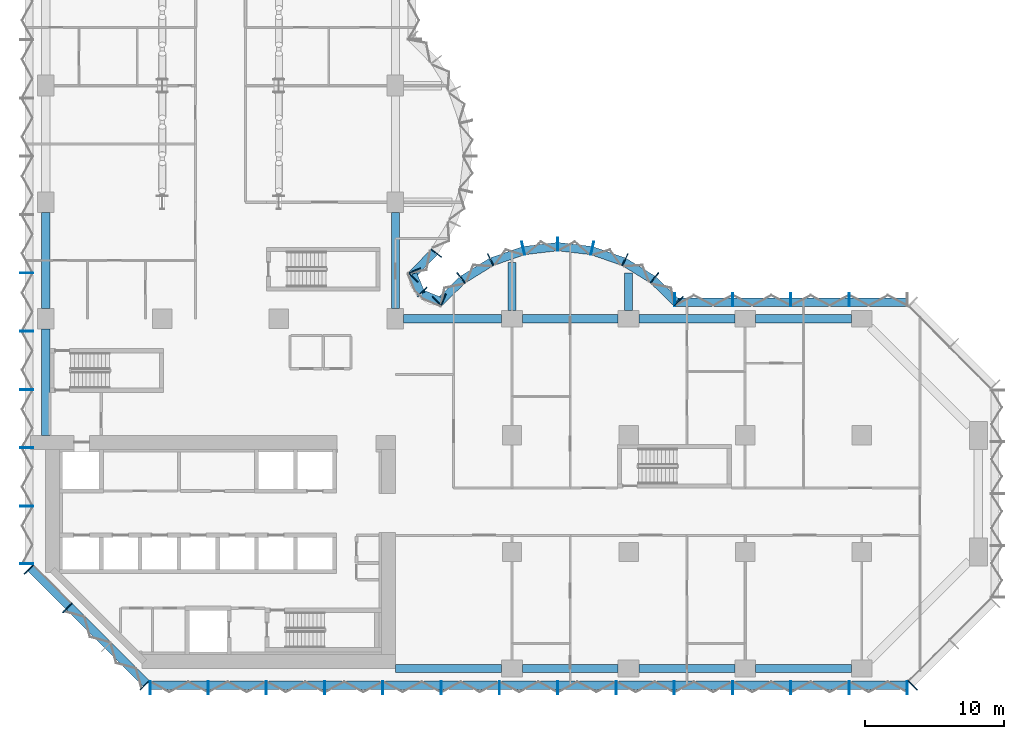
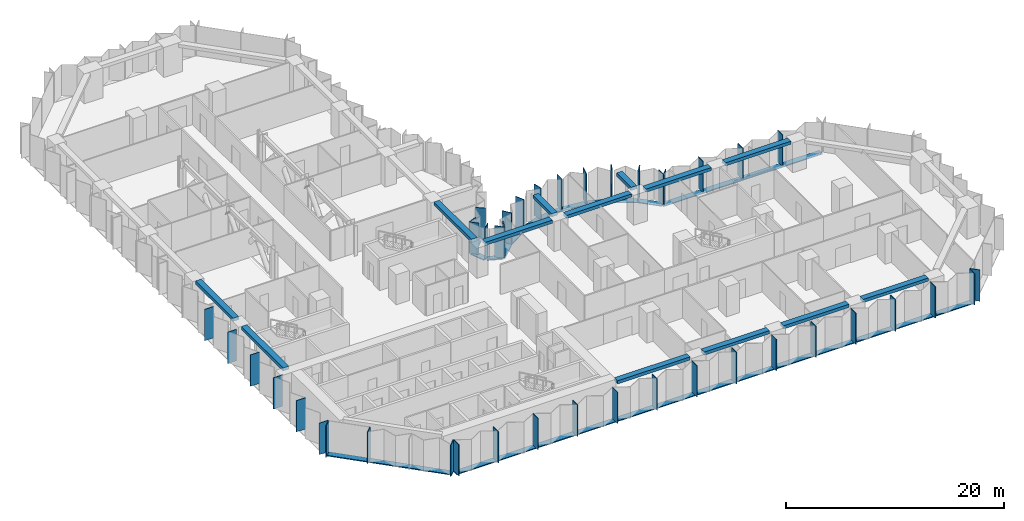
# One storey, part 3 of 18: 56 members, 13 beams, 8 elements without a shape of their own.
"""IFC4 building model written with IfcOpenShell, lengths in metres."""

from ifc_helpers import new_model, si_unit, direction, frame, origin, origin_2d, place, context, subcontext, project, spatial, rectangle, extrude, material, material_profile, profile_set, type_object, element, aggregate, save


model = new_model("IFC4")

# Units and contexts
model_context = context("Model", 3, precision=1e-05, world=origin(), true_north=direction((0.0, 1.0)))
body_context = subcontext(model_context, "Body", "Model", "MODEL_VIEW")
ifc_project = project(units=[si_unit("LENGTHUNIT", "METRE"), si_unit("AREAUNIT", "SQUARE_METRE"), si_unit("VOLUMEUNIT", "CUBIC_METRE"), si_unit("PLANEANGLEUNIT", "RADIAN"), si_unit("MASSUNIT", "GRAM", prefix="KILO")], contexts=[model_context])

# Site, building, storey
site_placement = place(None, origin())
site = spatial("IfcSite", under=ifc_project, at=site_placement, CompositionType="ELEMENT")
building_placement = place(site_placement, origin())
building = spatial("IfcBuilding", under=site, at=building_placement, Name="Brevane Broadcast Tower", CompositionType="ELEMENT")
storey_placement = place(building_placement, frame((0.0, 0.0, 40.10009765625)))
storey = spatial("IfcBuildingStorey", under=building, at=storey_placement, Name="L07", CompositionType="ELEMENT", Elevation=40.10009765625)

# Curtain wall, members
ifc_material_1 = material(Name="Aluminium 6063-T6 bronze anodised", Category="aluminium")
curtain_wall_type = type_object("IfcCurtainWallType", Name="CW-1 curtain wall", PredefinedType="NOTDEFINED", material=ifc_material_1)
curtain_wall_1_placement = place(storey_placement, origin())
curtain_wall_1 = element("IfcCurtainWall", 1, at=curtain_wall_1_placement, inside=storey, type_object=curtain_wall_type, Name="CW-1 typical tilted unit L07 south face", PredefinedType="NOTDEFINED")
ifc_material_profile_1 = material_profile(ifc_material_1, rectangle(XDim=0.949951171875, YDim=0.070068359375, at=origin_2d()), Name="RECT 70x950")
ifc_profile_set_1 = profile_set([ifc_material_profile_1], Name="Aluminium 6063-T6 bronze anodised")
member_type_1 = type_object("IfcMemberType", Name="CW-1 mullion 70x950", PredefinedType="MULLION", material=ifc_profile_set_1)
member_1_placement = place(storey_placement, frame((7.534912109375, -1.375, -0.150146484375), z_axis=(0.0, 0.0, 1.0), x_axis=(0.0, 1.0, 0.0)))
member_1 = element("IfcMember", 2, at=member_1_placement, type_object=member_type_1, Name="CW-1 mullion", PredefinedType="MULLION", context=body_context, shape_type="SweptSolid", body=[
    extrude(rectangle(XDim=0.949951171875, YDim=0.070068359375, at=origin_2d()), origin(), (0.0, 0.0, 1.0), 3.5),
])
member_2_placement = place(storey_placement, frame((11.699951171875, -1.375, -0.150146484375), z_axis=(0.0, 0.0, 1.0), x_axis=(0.0, 1.0, 0.0)))
member_2 = element("IfcMember", 3, at=member_2_placement, type_object=member_type_1, Name="CW-1 mullion", PredefinedType="MULLION", context=body_context, shape_type="SweptSolid", body=[
    extrude(rectangle(XDim=0.949951171875, YDim=0.070068359375, at=origin_2d()), origin(), (0.0, 0.0, 1.0), 3.5),
])
member_3_placement = place(storey_placement, frame((15.89990234375, -1.375, -0.150146484375), z_axis=(0.0, 0.0, 1.0), x_axis=(0.0, 1.0, 0.0)))
member_3 = element("IfcMember", 4, at=member_3_placement, type_object=member_type_1, Name="CW-1 mullion", PredefinedType="MULLION", context=body_context, shape_type="SweptSolid", body=[
    extrude(rectangle(XDim=0.949951171875, YDim=0.070068359375, at=origin_2d()), origin(), (0.0, 0.0, 1.0), 3.5),
])
member_4_placement = place(storey_placement, frame((20.10009765625, -1.375, -0.150146484375), z_axis=(0.0, 0.0, 1.0), x_axis=(0.0, 1.0, 0.0)))
member_4 = element("IfcMember", 5, at=member_4_placement, type_object=member_type_1, Name="CW-1 mullion", PredefinedType="MULLION", context=body_context, shape_type="SweptSolid", body=[
    extrude(rectangle(XDim=0.949951171875, YDim=0.070068359375, at=origin_2d()), origin(), (0.0, 0.0, 1.0), 3.5),
])
member_5_placement = place(storey_placement, frame((24.300048828125, -1.375, -0.150146484375), z_axis=(0.0, 0.0, 1.0), x_axis=(0.0, 1.0, 0.0)))
member_5 = element("IfcMember", 6, at=member_5_placement, type_object=member_type_1, Name="CW-1 mullion", PredefinedType="MULLION", context=body_context, shape_type="SweptSolid", body=[
    extrude(rectangle(XDim=0.949951171875, YDim=0.070068359375, at=origin_2d()), origin(), (0.0, 0.0, 1.0), 3.5),
])
member_6_placement = place(storey_placement, frame((28.5, -1.375, -0.150146484375), z_axis=(0.0, 0.0, 1.0), x_axis=(0.0, 1.0, 0.0)))
member_6 = element("IfcMember", 7, at=member_6_placement, type_object=member_type_1, Name="CW-1 mullion", PredefinedType="MULLION", context=body_context, shape_type="SweptSolid", body=[
    extrude(rectangle(XDim=0.949951171875, YDim=0.070068359375, at=origin_2d()), origin(), (0.0, 0.0, 1.0), 3.5),
])
member_7_placement = place(storey_placement, frame((32.699951171875, -1.375, -0.150146484375), z_axis=(0.0, 0.0, 1.0), x_axis=(0.0, 1.0, 0.0)))
member_7 = element("IfcMember", 8, at=member_7_placement, type_object=member_type_1, Name="CW-1 mullion", PredefinedType="MULLION", context=body_context, shape_type="SweptSolid", body=[
    extrude(rectangle(XDim=0.949951171875, YDim=0.070068359375, at=origin_2d()), origin(), (0.0, 0.0, 1.0), 3.5),
])
member_8_placement = place(storey_placement, frame((36.89990234375, -1.375, -0.150146484375), z_axis=(0.0, 0.0, 1.0), x_axis=(0.0, 1.0, 0.0)))
member_8 = element("IfcMember", 9, at=member_8_placement, type_object=member_type_1, Name="CW-1 mullion", PredefinedType="MULLION", context=body_context, shape_type="SweptSolid", body=[
    extrude(rectangle(XDim=0.949951171875, YDim=0.070068359375, at=origin_2d()), origin(), (0.0, 0.0, 1.0), 3.5),
])
member_9_placement = place(storey_placement, frame((41.10009765625, -1.375, -0.150146484375), z_axis=(0.0, 0.0, 1.0), x_axis=(0.0, 1.0, 0.0)))
member_9 = element("IfcMember", 10, at=member_9_placement, type_object=member_type_1, Name="CW-1 mullion", PredefinedType="MULLION", context=body_context, shape_type="SweptSolid", body=[
    extrude(rectangle(XDim=0.949951171875, YDim=0.070068359375, at=origin_2d()), origin(), (0.0, 0.0, 1.0), 3.5),
])
member_10_placement = place(storey_placement, frame((45.300048828125, -1.375, -0.150146484375), z_axis=(0.0, 0.0, 1.0), x_axis=(0.0, 1.0, 0.0)))
member_10 = element("IfcMember", 11, at=member_10_placement, type_object=member_type_1, Name="CW-1 mullion", PredefinedType="MULLION", context=body_context, shape_type="SweptSolid", body=[
    extrude(rectangle(XDim=0.949951171875, YDim=0.070068359375, at=origin_2d()), origin(), (0.0, 0.0, 1.0), 3.5),
])
member_11_placement = place(storey_placement, frame((49.5, -1.375, -0.150146484375), z_axis=(0.0, 0.0, 1.0), x_axis=(0.0, 1.0, 0.0)))
member_11 = element("IfcMember", 12, at=member_11_placement, type_object=member_type_1, Name="CW-1 mullion", PredefinedType="MULLION", context=body_context, shape_type="SweptSolid", body=[
    extrude(rectangle(XDim=0.949951171875, YDim=0.070068359375, at=origin_2d()), origin(), (0.0, 0.0, 1.0), 3.5),
])
member_12_placement = place(storey_placement, frame((53.699951171875, -1.375, -0.150146484375), z_axis=(0.0, 0.0, 1.0), x_axis=(0.0, 1.0, 0.0)))
member_12 = element("IfcMember", 13, at=member_12_placement, type_object=member_type_1, Name="CW-1 mullion", PredefinedType="MULLION", context=body_context, shape_type="SweptSolid", body=[
    extrude(rectangle(XDim=0.949951171875, YDim=0.070068359375, at=origin_2d()), origin(), (0.0, 0.0, 1.0), 3.5),
])
member_13_placement = place(storey_placement, frame((57.89990234375, -1.375, -0.150146484375), z_axis=(0.0, 0.0, 1.0), x_axis=(0.0, 1.0, 0.0)))
member_13 = element("IfcMember", 14, at=member_13_placement, type_object=member_type_1, Name="CW-1 mullion", PredefinedType="MULLION", context=body_context, shape_type="SweptSolid", body=[
    extrude(rectangle(XDim=0.949951171875, YDim=0.070068359375, at=origin_2d()), origin(), (0.0, 0.0, 1.0), 3.5),
])
member_14_placement = place(storey_placement, frame((62.06494140625, -1.375, -0.150146484375), z_axis=(0.0, 0.0, 1.0), x_axis=(0.0, 1.0, 0.0)))
member_14 = element("IfcMember", 15, at=member_14_placement, type_object=member_type_1, Name="CW-1 mullion", PredefinedType="MULLION", context=body_context, shape_type="SweptSolid", body=[
    extrude(rectangle(XDim=0.949951171875, YDim=0.070068359375, at=origin_2d()), origin(), (0.0, 0.0, 1.0), 3.5),
])

# Curtain wall, member
curtain_wall_2_placement = place(storey_placement, origin())
curtain_wall_2 = element("IfcCurtainWall", 16, at=curtain_wall_2_placement, inside=storey, type_object=curtain_wall_type, Name="CW-1 typical tilted unit L07 south-east chamfer", PredefinedType="NOTDEFINED")
member_15_placement = place(storey_placement, frame((62.460693359375, -1.211181640625, -0.150146484375), z_axis=(0.0, 0.0, 1.0), x_axis=(-0.707106781187, 0.707106781187, 0.0)))
member_15 = element("IfcMember", 17, at=member_15_placement, type_object=member_type_1, Name="CW-1 mullion", PredefinedType="MULLION", context=body_context, shape_type="SweptSolid", body=[
    extrude(rectangle(XDim=0.949951171875, YDim=0.070068359375, at=origin_2d()), origin(), (0.0, 0.0, 1.0), 3.5),
])
aggregate(curtain_wall_2, [member_15])

# Curtain wall, members
curtain_wall_3_placement = place(storey_placement, origin())
curtain_wall_3 = element("IfcCurtainWall", 18, at=curtain_wall_3_placement, inside=storey, type_object=curtain_wall_type, Name="CW-1 typical tilted unit L07 east arm north face", PredefinedType="NOTDEFINED")
member_16_placement = place(storey_placement, frame((57.89990234375, 26.574951171875, -0.150146484375), z_axis=(0.0, 0.0, 1.0), x_axis=(0.0, -1.0, 0.0)))
member_16 = element("IfcMember", 19, at=member_16_placement, type_object=member_type_1, Name="CW-1 mullion", PredefinedType="MULLION", context=body_context, shape_type="SweptSolid", body=[
    extrude(rectangle(XDim=0.949951171875, YDim=0.070068359375, at=origin_2d()), origin(), (0.0, 0.0, 1.0), 3.5),
])
member_17_placement = place(storey_placement, frame((53.699951171875, 26.574951171875, -0.150146484375), z_axis=(0.0, 0.0, 1.0), x_axis=(0.0, -1.0, 0.0)))
member_17 = element("IfcMember", 20, at=member_17_placement, type_object=member_type_1, Name="CW-1 mullion", PredefinedType="MULLION", context=body_context, shape_type="SweptSolid", body=[
    extrude(rectangle(XDim=0.949951171875, YDim=0.070068359375, at=origin_2d()), origin(), (0.0, 0.0, 1.0), 3.5),
])
member_18_placement = place(storey_placement, frame((49.5, 26.574951171875, -0.150146484375), z_axis=(0.0, 0.0, 1.0), x_axis=(0.0, -1.0, 0.0)))
member_18 = element("IfcMember", 21, at=member_18_placement, type_object=member_type_1, Name="CW-1 mullion", PredefinedType="MULLION", context=body_context, shape_type="SweptSolid", body=[
    extrude(rectangle(XDim=0.949951171875, YDim=0.070068359375, at=origin_2d()), origin(), (0.0, 0.0, 1.0), 3.5),
])
member_19_placement = place(storey_placement, frame((45.3349609375, 26.574951171875, -0.150146484375), z_axis=(0.0, 0.0, 1.0), x_axis=(0.0, -1.0, 0.0)))
member_19 = element("IfcMember", 22, at=member_19_placement, type_object=member_type_1, Name="CW-1 mullion", PredefinedType="MULLION", context=body_context, shape_type="SweptSolid", body=[
    extrude(rectangle(XDim=0.949951171875, YDim=0.070068359375, at=origin_2d()), origin(), (0.0, 0.0, 1.0), 3.5),
])

curtain_wall_4_placement = place(storey_placement, origin())
curtain_wall_4 = element("IfcCurtainWall", 23, at=curtain_wall_4_placement, inside=storey, type_object=curtain_wall_type, Name="CW-1 typical tilted unit L07 east bow", PredefinedType="NOTDEFINED")
member_20_placement = place(storey_placement, frame((45.60595703125, 26.465087890625, -0.150146484375), z_axis=(0.0, 0.0, 1.0), x_axis=(-0.696811941702, -0.717253872699, 0.0)))
member_20 = element("IfcMember", 24, at=member_20_placement, type_object=member_type_1, Name="CW-1 mullion", PredefinedType="MULLION", context=body_context, shape_type="SweptSolid", body=[
    extrude(rectangle(XDim=0.949951171875, YDim=0.070068359375, at=origin_2d()), origin(), (0.0, 0.0, 1.0), 3.5),
])
member_21_placement = place(storey_placement, frame((43.8720703125, 28.1455078125, -0.150146484375), z_axis=(0.0, 0.0, 1.0), x_axis=(-0.614769738617, -0.788706642853, 0.0)))
member_21 = element("IfcMember", 25, at=member_21_placement, type_object=member_type_1, Name="CW-1 mullion", PredefinedType="MULLION", context=body_context, shape_type="SweptSolid", body=[
    extrude(rectangle(XDim=0.949951171875, YDim=0.070068359375, at=origin_2d()), origin(), (0.0, 0.0, 1.0), 3.5),
])
member_22_placement = place(storey_placement, frame((41.746826171875, 29.4580078125, -0.150146484375), z_axis=(0.0, 0.0, 1.0), x_axis=(-0.429933601163, -0.902860508933, 0.0)))
member_22 = element("IfcMember", 26, at=member_22_placement, type_object=member_type_1, Name="CW-1 mullion", PredefinedType="MULLION", context=body_context, shape_type="SweptSolid", body=[
    extrude(rectangle(XDim=0.949951171875, YDim=0.070068359375, at=origin_2d()), origin(), (0.0, 0.0, 1.0), 3.5),
])
member_23_placement = place(storey_placement, frame((39.38818359375, 30.28076171875, -0.150146484375), z_axis=(0.0, 0.0, 1.0), x_axis=(-0.224806482215, -0.974403430594, 0.0)))
member_23 = element("IfcMember", 27, at=member_23_placement, type_object=member_type_1, Name="CW-1 mullion", PredefinedType="MULLION", context=body_context, shape_type="SweptSolid", body=[
    extrude(rectangle(XDim=0.949951171875, YDim=0.070068359375, at=origin_2d()), origin(), (0.0, 0.0, 1.0), 3.5),
])
member_24_placement = place(storey_placement, frame((36.89990234375, 30.574951171875, -0.150146484375), z_axis=(0.0, 0.0, 1.0), x_axis=(0.0, -1.0, 0.0)))
member_24 = element("IfcMember", 28, at=member_24_placement, type_object=member_type_1, Name="CW-1 mullion", PredefinedType="MULLION", context=body_context, shape_type="SweptSolid", body=[
    extrude(rectangle(XDim=0.949951171875, YDim=0.070068359375, at=origin_2d()), origin(), (0.0, 0.0, 1.0), 3.5),
])
member_25_placement = place(storey_placement, frame((34.411865234375, 30.28076171875, -0.150146484375), z_axis=(0.0, 0.0, 1.0), x_axis=(0.224806482215, -0.974403430594, 0.0)))
member_25 = element("IfcMember", 29, at=member_25_placement, type_object=member_type_1, Name="CW-1 mullion", PredefinedType="MULLION", context=body_context, shape_type="SweptSolid", body=[
    extrude(rectangle(XDim=0.949951171875, YDim=0.070068359375, at=origin_2d()), origin(), (0.0, 0.0, 1.0), 3.5),
])
member_26_placement = place(storey_placement, frame((32.05322265625, 29.4580078125, -0.150146484375), z_axis=(0.0, 0.0, 1.0), x_axis=(0.429933601163, -0.902860508933, 0.0)))
member_26 = element("IfcMember", 30, at=member_26_placement, type_object=member_type_1, Name="CW-1 mullion", PredefinedType="MULLION", context=body_context, shape_type="SweptSolid", body=[
    extrude(rectangle(XDim=0.949951171875, YDim=0.070068359375, at=origin_2d()), origin(), (0.0, 0.0, 1.0), 3.5),
])
member_27_placement = place(storey_placement, frame((29.927978515625, 28.1455078125, -0.150146484375), z_axis=(0.0, 0.0, 1.0), x_axis=(0.614769738617, -0.788706642853, 0.0)))
member_27 = element("IfcMember", 31, at=member_27_placement, type_object=member_type_1, Name="CW-1 mullion", PredefinedType="MULLION", context=body_context, shape_type="SweptSolid", body=[
    extrude(rectangle(XDim=0.949951171875, YDim=0.070068359375, at=origin_2d()), origin(), (0.0, 0.0, 1.0), 3.5),
])
member_28_placement = place(storey_placement, frame((28.194091796875, 26.465087890625, -0.150146484375), z_axis=(0.0, 0.0, 1.0), x_axis=(0.696811941702, -0.717253872699, 0.0)))
member_28 = element("IfcMember", 32, at=member_28_placement, type_object=member_type_1, Name="CW-1 mullion", PredefinedType="MULLION", context=body_context, shape_type="SweptSolid", body=[
    extrude(rectangle(XDim=0.949951171875, YDim=0.070068359375, at=origin_2d()), origin(), (0.0, 0.0, 1.0), 3.5),
])

curtain_wall_5_placement = place(storey_placement, origin())
curtain_wall_5 = element("IfcCurtainWall", 33, at=curtain_wall_5_placement, inside=storey, type_object=curtain_wall_type, Name="CW-1 typical tilted unit L07 inner corner", PredefinedType="NOTDEFINED")
member_29_placement = place(storey_placement, frame((28.6494140625, 26.55224609375, -0.150146484375), z_axis=(0.0, 0.0, 1.0), x_axis=(-0.382683612978, -0.923879457699, 0.0)))
member_29 = element("IfcMember", 34, at=member_29_placement, type_object=member_type_1, Name="CW-1 mullion", PredefinedType="MULLION", context=body_context, shape_type="SweptSolid", body=[
    extrude(rectangle(XDim=0.949951171875, YDim=0.070068359375, at=origin_2d()), origin(), (0.0, 0.0, 1.0), 3.5),
])
member_30_placement = place(storey_placement, frame((27.138916015625, 27.138916015625, -0.150146484375), z_axis=(0.0, 0.0, 1.0), x_axis=(-0.707106781187, -0.707106781187, 0.0)))
member_30 = element("IfcMember", 35, at=member_30_placement, type_object=member_type_1, Name="CW-1 mullion", PredefinedType="MULLION", context=body_context, shape_type="SweptSolid", body=[
    extrude(rectangle(XDim=0.949951171875, YDim=0.070068359375, at=origin_2d()), origin(), (0.0, 0.0, 1.0), 3.5),
])
member_31_placement = place(storey_placement, frame((26.55224609375, 28.6494140625, -0.150146484375), z_axis=(0.0, 0.0, 1.0), x_axis=(-0.923879457699, -0.382683612978, 0.0)))
member_31 = element("IfcMember", 36, at=member_31_placement, type_object=member_type_1, Name="CW-1 mullion", PredefinedType="MULLION", context=body_context, shape_type="SweptSolid", body=[
    extrude(rectangle(XDim=0.949951171875, YDim=0.070068359375, at=origin_2d()), origin(), (0.0, 0.0, 1.0), 3.5),
])

curtain_wall_6_placement = place(storey_placement, origin())
curtain_wall_6 = element("IfcCurtainWall", 37, at=curtain_wall_6_placement, inside=storey, type_object=curtain_wall_type, Name="CW-1 typical tilted unit L07 north bow", PredefinedType="NOTDEFINED")
member_32_placement = place(storey_placement, frame((26.465087890625, 28.194091796875, -0.150146484375), z_axis=(0.0, 0.0, 1.0), x_axis=(-0.717253872699, 0.696811941702, 0.0)))
member_32 = element("IfcMember", 38, at=member_32_placement, type_object=member_type_1, Name="CW-1 mullion", PredefinedType="MULLION", context=body_context, shape_type="SweptSolid", body=[
    extrude(rectangle(XDim=0.949951171875, YDim=0.070068359375, at=origin_2d()), origin(), (0.0, 0.0, 1.0), 3.5),
])
member_33_placement = place(storey_placement, frame((28.1455078125, 29.927978515625, -0.150146484375), z_axis=(0.0, 0.0, 1.0), x_axis=(-0.788706642853, 0.614769738617, 0.0)))
member_33 = element("IfcMember", 39, at=member_33_placement, type_object=member_type_1, Name="CW-1 mullion", PredefinedType="MULLION", context=body_context, shape_type="SweptSolid", body=[
    extrude(rectangle(XDim=0.949951171875, YDim=0.070068359375, at=origin_2d()), origin(), (0.0, 0.0, 1.0), 3.5),
])

curtain_wall_7_placement = place(storey_placement, origin())
curtain_wall_7 = element("IfcCurtainWall", 40, at=curtain_wall_7_placement, inside=storey, type_object=curtain_wall_type, Name="CW-1 typical tilted unit L07 west face", PredefinedType="NOTDEFINED")
member_34_placement = place(storey_placement, frame((-1.375, 28.5, -0.150146484375), z_axis=(0.0, 0.0, 1.0), x_axis=(1.0, 0.0, 0.0)))
member_34 = element("IfcMember", 41, at=member_34_placement, type_object=member_type_1, Name="CW-1 mullion", PredefinedType="MULLION", context=body_context, shape_type="SweptSolid", body=[
    extrude(rectangle(XDim=0.949951171875, YDim=0.070068359375, at=origin_2d()), origin(), (0.0, 0.0, 1.0), 3.5),
])
member_35_placement = place(storey_placement, frame((-1.375, 24.300048828125, -0.150146484375), z_axis=(0.0, 0.0, 1.0), x_axis=(1.0, 0.0, 0.0)))
member_35 = element("IfcMember", 42, at=member_35_placement, type_object=member_type_1, Name="CW-1 mullion", PredefinedType="MULLION", context=body_context, shape_type="SweptSolid", body=[
    extrude(rectangle(XDim=0.949951171875, YDim=0.070068359375, at=origin_2d()), origin(), (0.0, 0.0, 1.0), 3.5),
])
member_36_placement = place(storey_placement, frame((-1.375, 20.10009765625, -0.150146484375), z_axis=(0.0, 0.0, 1.0), x_axis=(1.0, 0.0, 0.0)))
member_36 = element("IfcMember", 43, at=member_36_placement, type_object=member_type_1, Name="CW-1 mullion", PredefinedType="MULLION", context=body_context, shape_type="SweptSolid", body=[
    extrude(rectangle(XDim=0.949951171875, YDim=0.070068359375, at=origin_2d()), origin(), (0.0, 0.0, 1.0), 3.5),
])
member_37_placement = place(storey_placement, frame((-1.375, 15.89990234375, -0.150146484375), z_axis=(0.0, 0.0, 1.0), x_axis=(1.0, 0.0, 0.0)))
member_37 = element("IfcMember", 44, at=member_37_placement, type_object=member_type_1, Name="CW-1 mullion", PredefinedType="MULLION", context=body_context, shape_type="SweptSolid", body=[
    extrude(rectangle(XDim=0.949951171875, YDim=0.070068359375, at=origin_2d()), origin(), (0.0, 0.0, 1.0), 3.5),
])
member_38_placement = place(storey_placement, frame((-1.375, 11.699951171875, -0.150146484375), z_axis=(0.0, 0.0, 1.0), x_axis=(1.0, 0.0, 0.0)))
member_38 = element("IfcMember", 45, at=member_38_placement, type_object=member_type_1, Name="CW-1 mullion", PredefinedType="MULLION", context=body_context, shape_type="SweptSolid", body=[
    extrude(rectangle(XDim=0.949951171875, YDim=0.070068359375, at=origin_2d()), origin(), (0.0, 0.0, 1.0), 3.5),
])
member_39_placement = place(storey_placement, frame((-1.375, 7.534912109375, -0.150146484375), z_axis=(0.0, 0.0, 1.0), x_axis=(1.0, 0.0, 0.0)))
member_39 = element("IfcMember", 46, at=member_39_placement, type_object=member_type_1, Name="CW-1 mullion", PredefinedType="MULLION", context=body_context, shape_type="SweptSolid", body=[
    extrude(rectangle(XDim=0.949951171875, YDim=0.070068359375, at=origin_2d()), origin(), (0.0, 0.0, 1.0), 3.5),
])
aggregate(curtain_wall_7, [member_34, member_35, member_36, member_37, member_38, member_39])

curtain_wall_8_placement = place(storey_placement, origin())
curtain_wall_8 = element("IfcCurtainWall", 47, at=curtain_wall_8_placement, inside=storey, type_object=curtain_wall_type, Name="CW-1 typical tilted unit L07 south-west chamfer", PredefinedType="NOTDEFINED")
member_40_placement = place(storey_placement, frame((-1.211181640625, 7.139404296875, -0.150146484375), z_axis=(0.0, 0.0, 1.0), x_axis=(0.707106781187, 0.707106781187, 0.0)))
member_40 = element("IfcMember", 48, at=member_40_placement, type_object=member_type_1, Name="CW-1 mullion", PredefinedType="MULLION", context=body_context, shape_type="SweptSolid", body=[
    extrude(rectangle(XDim=0.949951171875, YDim=0.070068359375, at=origin_2d()), origin(), (0.0, 0.0, 1.0), 3.5),
])
member_41_placement = place(storey_placement, frame((1.564208984375, 4.364013671875, -0.150146484375), z_axis=(0.0, 0.0, 1.0), x_axis=(0.707106781187, 0.707106781187, 0.0)))
member_41 = element("IfcMember", 49, at=member_41_placement, type_object=member_type_1, Name="CW-1 mullion", PredefinedType="MULLION", context=body_context, shape_type="SweptSolid", body=[
    extrude(rectangle(XDim=0.949951171875, YDim=0.070068359375, at=origin_2d()), origin(), (0.0, 0.0, 1.0), 3.5),
])
member_42_placement = place(storey_placement, frame((7.139404296875, -1.211181640625, -0.150146484375), z_axis=(0.0, 0.0, 1.0), x_axis=(0.707106781187, 0.707106781187, 0.0)))
member_42 = element("IfcMember", 50, at=member_42_placement, type_object=member_type_1, Name="CW-1 mullion", PredefinedType="MULLION", context=body_context, shape_type="SweptSolid", body=[
    extrude(rectangle(XDim=0.949951171875, YDim=0.070068359375, at=origin_2d()), origin(), (0.0, 0.0, 1.0), 3.5),
])

# Member
ifc_material_profile_2 = material_profile(ifc_material_1, rectangle(XDim=0.60009765625, YDim=0.10009765625, at=origin_2d()), Name="RECT 100x600")
ifc_profile_set_2 = profile_set([ifc_material_profile_2], Name="Aluminium 6063-T6 bronze anodised")
member_type_2 = type_object("IfcMemberType", Name="CW-1 transom 100x600", PredefinedType="USERDEFINED", material=ifc_profile_set_2)
member_43_placement = place(storey_placement, frame((7.5, -1.199951171875, -0.2001953125), z_axis=(1.0, 0.0, 0.0), x_axis=(0.0, 1.0, 0.0)))
member_43 = element("IfcMember", 51, at=member_43_placement, type_object=member_type_2, Name="CW-1 transom", ObjectType="TRANSOM", PredefinedType="USERDEFINED", context=body_context, shape_type="SweptSolid", body=[
    extrude(rectangle(XDim=0.60009765625, YDim=0.10009765625, at=origin_2d()), origin(), (0.0, 0.0, 1.0), 54.60009765625),
])

aggregate(curtain_wall_1, [member_1, member_2, member_3, member_4, member_5, member_6, member_7, member_8, member_9, member_10, member_11, member_12, member_13, member_14, member_43])

member_44_placement = place(storey_placement, frame((62.10009765625, 26.39990234375, -0.2001953125), z_axis=(-1.0, 0.0, 0.0), x_axis=(0.0, -1.0, 0.0)))
member_44 = element("IfcMember", 52, at=member_44_placement, type_object=member_type_2, Name="CW-1 transom", ObjectType="TRANSOM", PredefinedType="USERDEFINED", context=body_context, shape_type="SweptSolid", body=[
    extrude(rectangle(XDim=0.60009765625, YDim=0.10009765625, at=origin_2d()), origin(), (0.0, 0.0, 1.0), 16.800048828125),
])

aggregate(curtain_wall_3, [member_16, member_17, member_18, member_19, member_44])

member_45_placement = place(storey_placement, frame((45.412841796875, 26.407958984375, -0.2001953125), z_axis=(-0.71724215871, 0.696823999134, 0.0), x_axis=(-0.696823999134, -0.71724215871, 0.0)))
member_45 = element("IfcMember", 53, at=member_45_placement, type_object=member_type_2, Name="CW-1 transom", ObjectType="TRANSOM", PredefinedType="USERDEFINED", context=body_context, shape_type="SweptSolid", body=[
    extrude(rectangle(XDim=0.60009765625, YDim=0.10009765625, at=origin_2d()), origin(), (0.0, 0.0, 1.0), 2.247802734375),
])

member_46_placement = place(storey_placement, frame((43.7421875, 28.023193359375, -0.2001953125), z_axis=(-0.850810063131, 0.525473345162, 0.0), x_axis=(-0.525473345162, -0.850810063131, 0.0)))
member_46 = element("IfcMember", 54, at=member_46_placement, type_object=member_type_2, Name="CW-1 transom", ObjectType="TRANSOM", PredefinedType="USERDEFINED", context=body_context, shape_type="SweptSolid", body=[
    extrude(rectangle(XDim=0.60009765625, YDim=0.10009765625, at=origin_2d()), origin(), (0.0, 0.0, 1.0), 2.39453125),
])

member_47_placement = place(storey_placement, frame((41.63623046875, 29.314208984375, -0.2001953125), z_axis=(-0.944197969542, 0.329378497041, 0.0), x_axis=(-0.329378497041, -0.944197969542, 0.0)))
member_47 = element("IfcMember", 55, at=member_47_placement, type_object=member_type_2, Name="CW-1 transom", ObjectType="TRANSOM", PredefinedType="USERDEFINED", context=body_context, shape_type="SweptSolid", body=[
    extrude(rectangle(XDim=0.60009765625, YDim=0.10009765625, at=origin_2d()), origin(), (0.0, 0.0, 1.0), 2.394775390625),
])

member_48_placement = place(storey_placement, frame((39.30029296875, 30.117431640625, -0.2001953125), z_axis=(-0.993062061831, 0.117591417, 0.0), x_axis=(-0.117591417, -0.993062061831, 0.0)))
member_48 = element("IfcMember", 56, at=member_48_placement, type_object=member_type_2, Name="CW-1 transom", ObjectType="TRANSOM", PredefinedType="USERDEFINED", context=body_context, shape_type="SweptSolid", body=[
    extrude(rectangle(XDim=0.60009765625, YDim=0.10009765625, at=origin_2d()), origin(), (0.0, 0.0, 1.0), 2.39794921875),
])

member_49_placement = place(storey_placement, frame((36.880859375, 30.3994140625, -0.2001953125), z_axis=(-0.993060653805, -0.117603307202, 0.0), x_axis=(0.117603307202, -0.993060653805, 0.0)))
member_49 = element("IfcMember", 57, at=member_49_placement, type_object=member_type_2, Name="CW-1 transom", ObjectType="TRANSOM", PredefinedType="USERDEFINED", context=body_context, shape_type="SweptSolid", body=[
    extrude(rectangle(XDim=0.60009765625, YDim=0.10009765625, at=origin_2d()), origin(), (0.0, 0.0, 1.0), 2.397705078125),
])

member_50_placement = place(storey_placement, frame((34.425048828125, 30.10302734375, -0.2001953125), z_axis=(-0.944197969542, -0.329378497041, 0.0), x_axis=(0.329378497041, -0.944197969542, 0.0)))
member_50 = element("IfcMember", 58, at=member_50_placement, type_object=member_type_2, Name="CW-1 transom", ObjectType="TRANSOM", PredefinedType="USERDEFINED", context=body_context, shape_type="SweptSolid", body=[
    extrude(rectangle(XDim=0.60009765625, YDim=0.10009765625, at=origin_2d()), origin(), (0.0, 0.0, 1.0), 2.394775390625),
])

member_51_placement = place(storey_placement, frame((32.09521484375, 29.281494140625, -0.2001953125), z_axis=(-0.850838211365, -0.525427766759, 0.0), x_axis=(0.525427766759, -0.850838211365, 0.0)))
member_51 = element("IfcMember", 59, at=member_51_placement, type_object=member_type_2, Name="CW-1 transom", ObjectType="TRANSOM", PredefinedType="USERDEFINED", context=body_context, shape_type="SweptSolid", body=[
    extrude(rectangle(XDim=0.60009765625, YDim=0.10009765625, at=origin_2d()), origin(), (0.0, 0.0, 1.0), 2.394775390625),
])

member_52_placement = place(storey_placement, frame((29.99951171875, 27.974365234375, -0.2001953125), z_axis=(-0.71724215871, -0.696823999134, 0.0), x_axis=(0.696823999134, -0.71724215871, 0.0)))
member_52 = element("IfcMember", 60, at=member_52_placement, type_object=member_type_2, Name="CW-1 transom", ObjectType="TRANSOM", PredefinedType="USERDEFINED", context=body_context, shape_type="SweptSolid", body=[
    extrude(rectangle(XDim=0.60009765625, YDim=0.10009765625, at=origin_2d()), origin(), (0.0, 0.0, 1.0), 2.247802734375),
])

aggregate(curtain_wall_4, [member_20, member_21, member_22, member_23, member_24, member_25, member_26, member_27, member_28, member_45, member_46, member_47, member_48, member_49, member_50, member_51, member_52])

member_53_placement = place(storey_placement, frame((28.528076171875, 26.40673828125, -0.2001953125), z_axis=(-0.923883243627, 0.382674472816, 0.0), x_axis=(-0.382674472816, -0.923883243627, 0.0)))
member_53 = element("IfcMember", 61, at=member_53_placement, type_object=member_type_2, Name="CW-1 transom", ObjectType="TRANSOM", PredefinedType="USERDEFINED", context=body_context, shape_type="SweptSolid", body=[
    extrude(rectangle(XDim=0.60009765625, YDim=0.10009765625, at=origin_2d()), origin(), (0.0, 0.0, 1.0), 1.536865234375),
])

member_54_placement = place(storey_placement, frame((27.039794921875, 27.0, -0.2001953125), z_axis=(-0.382674472816, 0.923883243627, 0.0), x_axis=(-0.923883243627, -0.382674472816, 0.0)))
member_54 = element("IfcMember", 62, at=member_54_placement, type_object=member_type_2, Name="CW-1 transom", ObjectType="TRANSOM", PredefinedType="USERDEFINED", context=body_context, shape_type="SweptSolid", body=[
    extrude(rectangle(XDim=0.60009765625, YDim=0.10009765625, at=origin_2d()), origin(), (0.0, 0.0, 1.0), 1.536865234375),
])

aggregate(curtain_wall_5, [member_29, member_30, member_31, member_53, member_54])

member_55_placement = place(storey_placement, frame((26.407958984375, 28.38720703125, -0.2001953125), z_axis=(0.696823999134, 0.71724215871, 0.0), x_axis=(-0.71724215871, 0.696823999134, 0.0)))
member_55 = element("IfcMember", 63, at=member_55_placement, type_object=member_type_2, Name="CW-1 transom", ObjectType="TRANSOM", PredefinedType="USERDEFINED", context=body_context, shape_type="SweptSolid", body=[
    extrude(rectangle(XDim=0.60009765625, YDim=0.10009765625, at=origin_2d()), origin(), (0.0, 0.0, 1.0), 2.247802734375),
])

aggregate(curtain_wall_6, [member_32, member_33, member_55])

member_56_placement = place(storey_placement, frame((-1.112060546875, 7.287841796875, -0.2001953125), z_axis=(0.707106781187, -0.707106781187, 0.0), x_axis=(0.707106781187, 0.707106781187, 0.0)))
member_56 = element("IfcMember", 64, at=member_56_placement, type_object=member_type_2, Name="CW-1 transom", ObjectType="TRANSOM", PredefinedType="USERDEFINED", context=body_context, shape_type="SweptSolid", body=[
    extrude(rectangle(XDim=0.60009765625, YDim=0.10009765625, at=origin_2d()), origin(), (0.0, 0.0, 1.0), 11.879150390625),
])

aggregate(curtain_wall_8, [member_40, member_41, member_42, member_56])

# Beams
ifc_material_2 = material(Name="Concrete C40/50", Category="concrete")
ifc_material_profile_3 = material_profile(ifc_material_2, rectangle(XDim=0.60009765625, YDim=0.35009765625, at=origin_2d()), Name="RC 600x350")
ifc_profile_set_3 = profile_set([ifc_material_profile_3], Name="Concrete C40/50")
beam_type_1 = type_object("IfcBeamType", Name="RC BRACKET BEAM 600x350 C40/50", PredefinedType="BEAM", material=ifc_profile_set_3)
beam_1_placement = place(storey_placement, frame((33.60009765625, 25.800048828125, 3.1748046875), z_axis=(0.0, 1.0, 0.0), x_axis=(-1.0, 0.0, 0.0)))
element("IfcBeam", 65, at=beam_1_placement, inside=storey, type_object=beam_type_1, Name="EB2 L07-3", PredefinedType="BEAM", context=body_context, shape_type="SweptSolid", body=[
    extrude(rectangle(XDim=0.60009765625, YDim=0.35009765625, at=origin_2d()), origin(), (0.0, 0.0, 1.0), 3.4619140625),
])
beam_2_placement = place(storey_placement, frame((42.0, 25.800048828125, 3.1748046875), z_axis=(0.0, 1.0, 0.0), x_axis=(-1.0, 0.0, 0.0)))
element("IfcBeam", 66, at=beam_2_placement, inside=storey, type_object=beam_type_1, Name="EB2 L07-4", PredefinedType="BEAM", context=body_context, shape_type="SweptSolid", body=[
    extrude(rectangle(XDim=0.60009765625, YDim=0.35009765625, at=origin_2d()), origin(), (0.0, 0.0, 1.0), 2.71142578125),
])
ifc_material_profile_4 = material_profile(ifc_material_2, rectangle(XDim=0.60009765625, YDim=0.35009765625, at=origin_2d()), Name="RC 600x350")
ifc_profile_set_4 = profile_set([ifc_material_profile_4], Name="Concrete C40/50")
beam_type_2 = type_object("IfcBeamType", Name="RC SPANDREL BEAM 600x350 C40/50", PredefinedType="SPANDREL", material=ifc_profile_set_4)
beam_3_placement = place(storey_placement, frame((25.199951171875, 0.0, 3.1748046875), z_axis=(1.0, 0.0, 0.0), x_axis=(0.0, 1.0, 0.0)))
element("IfcBeam", 67, at=beam_3_placement, inside=storey, type_object=beam_type_2, Name="EB1 L07-1", PredefinedType="SPANDREL", context=body_context, shape_type="SweptSolid", body=[
    extrude(rectangle(XDim=0.60009765625, YDim=0.35009765625, at=origin_2d()), origin(), (0.0, 0.0, 1.0), 7.650146484375),
])
for number, where, z_axis, x_axis, name in (
    (68, (34.35009765625, 0.0, 3.1748046875), (1.0, 0.0, 0.0), (0.0, 1.0, 0.0), "EB1 L07-2"),
    (69, (42.75, 0.0, 3.1748046875), (1.0, 0.0, 0.0), (0.0, 1.0, 0.0), "EB1 L07-3"),
):
    element("IfcBeam", number, at=place(storey_placement, frame(where, z_axis=z_axis, x_axis=x_axis)), inside=storey, type_object=beam_type_2, Name=name, PredefinedType="SPANDREL", context=body_context, shape_type="SweptSolid", body=[
        extrude(rectangle(XDim=0.60009765625, YDim=0.35009765625, at=origin_2d()), origin(), (0.0, 0.0, 1.0), 6.89990234375),
    ])
for number, where, z_axis, x_axis, name in (
    (70, (51.14990234375, 0.0, 3.1748046875), (1.0, 0.0, 0.0), (0.0, 1.0, 0.0), "EB1 L07-4"),
    (71, (58.050048828125, 25.199951171875, 3.1748046875), (-1.0, 0.0, 0.0), (0.0, -1.0, 0.0), "EB1 L07-8"),
):
    element("IfcBeam", number, at=place(storey_placement, frame(where, z_axis=z_axis, x_axis=x_axis)), inside=storey, type_object=beam_type_2, Name=name, PredefinedType="SPANDREL", context=body_context, shape_type="SweptSolid", body=[
        extrude(rectangle(XDim=0.60009765625, YDim=0.35009765625, at=origin_2d()), origin(), (0.0, 0.0, 1.0), 6.900146484375),
    ])
for number, where, z_axis, x_axis, name in (
    (72, (49.64990234375, 25.199951171875, 3.1748046875), (-1.0, 0.0, 0.0), (0.0, -1.0, 0.0), "EB1 L07-9"),
    (73, (41.25, 25.199951171875, 3.1748046875), (-1.0, 0.0, 0.0), (0.0, -1.0, 0.0), "EB1 L07-10"),
):
    element("IfcBeam", number, at=place(storey_placement, frame(where, z_axis=z_axis, x_axis=x_axis)), inside=storey, type_object=beam_type_2, Name=name, PredefinedType="SPANDREL", context=body_context, shape_type="SweptSolid", body=[
        extrude(rectangle(XDim=0.60009765625, YDim=0.35009765625, at=origin_2d()), origin(), (0.0, 0.0, 1.0), 6.89990234375),
    ])
beam_4_placement = place(storey_placement, frame((32.85009765625, 25.199951171875, 3.1748046875), z_axis=(-1.0, 0.0, 0.0), x_axis=(0.0, -1.0, 0.0)))
element("IfcBeam", 74, at=beam_4_placement, inside=storey, type_object=beam_type_2, Name="EB1 L07-11", PredefinedType="SPANDREL", context=body_context, shape_type="SweptSolid", body=[
    extrude(rectangle(XDim=0.60009765625, YDim=0.35009765625, at=origin_2d()), origin(), (0.0, 0.0, 1.0), 7.050048828125),
])
for number, where, z_axis, x_axis, name in (
    (75, (25.199951171875, 25.949951171875, 3.1748046875), (0.0, 1.0, 0.0), (-1.0, 0.0, 0.0), "EB1 L07-12"),
    (76, (0.0, 32.85009765625, 3.1748046875), (0.0, -1.0, 0.0), (1.0, 0.0, 0.0), "EB1 L07-22"),
):
    element("IfcBeam", number, at=place(storey_placement, frame(where, z_axis=z_axis, x_axis=x_axis)), inside=storey, type_object=beam_type_2, Name=name, PredefinedType="SPANDREL", context=body_context, shape_type="SweptSolid", body=[
        extrude(rectangle(XDim=0.60009765625, YDim=0.35009765625, at=origin_2d()), origin(), (0.0, 0.0, 1.0), 6.900146484375),
    ])
beam_5_placement = place(storey_placement, frame((0.0, 24.449951171875, 3.1748046875), z_axis=(0.0, -1.0, 0.0), x_axis=(1.0, 0.0, 0.0)))
element("IfcBeam", 77, at=beam_5_placement, inside=storey, type_object=beam_type_2, Name="EB1 L07-23", PredefinedType="SPANDREL", context=body_context, shape_type="SweptSolid", body=[
    extrude(rectangle(XDim=0.60009765625, YDim=0.35009765625, at=origin_2d()), origin(), (0.0, 0.0, 1.0), 7.64990234375),
])

save(model, "model.ifc")
